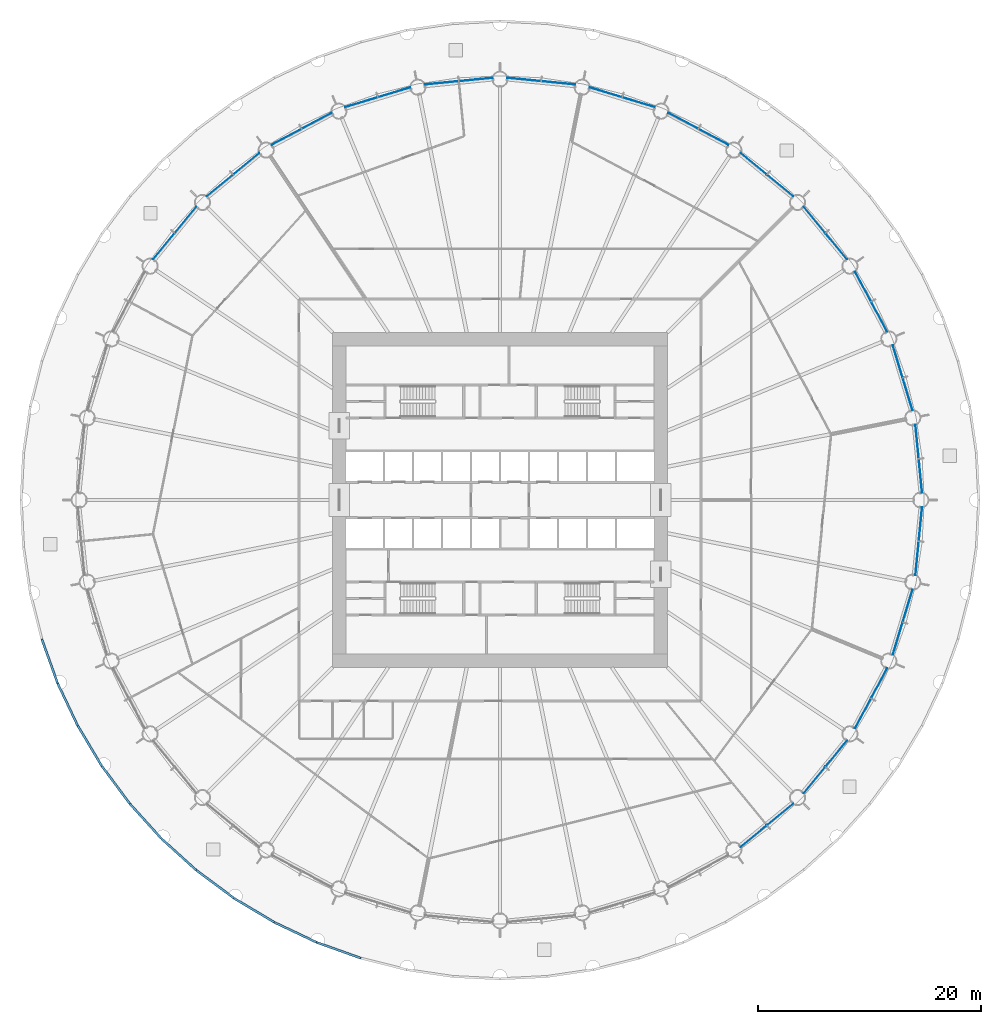
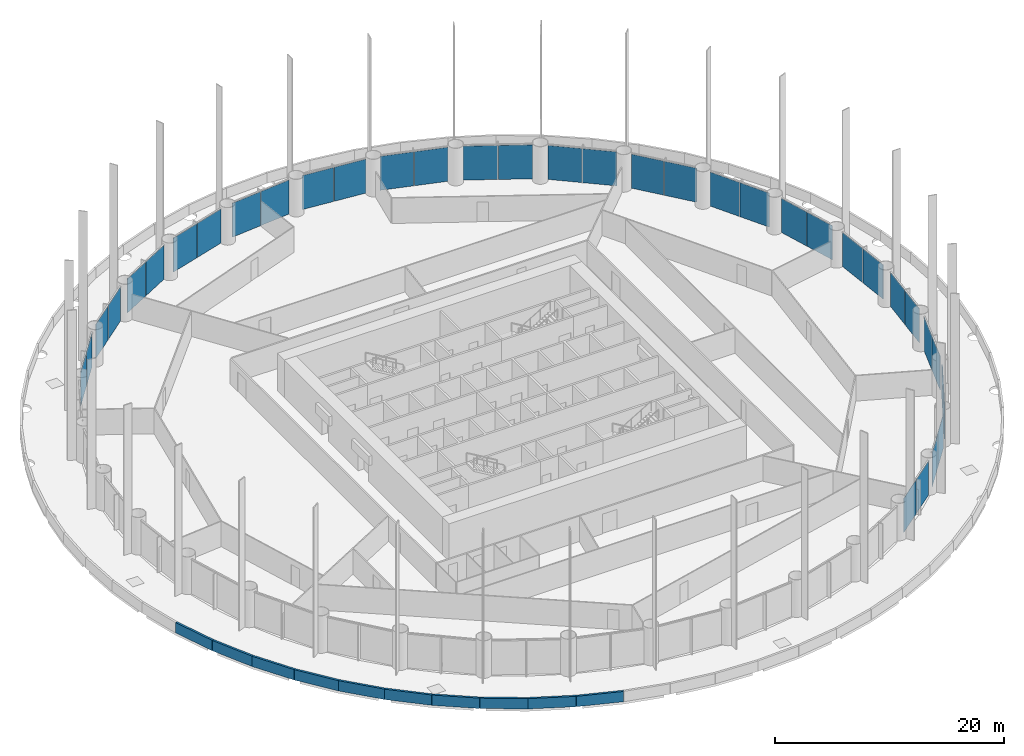
# One storey, part 8 of 17: 36 plates, 10 walls, 18 elements without a shape of their own.
"""IFC4 building model written with IfcOpenShell, lengths in metres."""

from ifc_helpers import new_model, si_unit, direction, frame, frame_2d, origin, origin_2d, place, context, subcontext, project, spatial, rectangle, extrude, material, layer, layer_set, type_object, element, aggregate, save


model = new_model("IFC4")

# Units and contexts
model_context = context("Model", 3, precision=1e-05, world=origin(), true_north=direction((0.0, 1.0)))
body_context = subcontext(model_context, "Body", "Model", "MODEL_VIEW")
ifc_project = project(units=[si_unit("LENGTHUNIT", "METRE"), si_unit("AREAUNIT", "SQUARE_METRE"), si_unit("VOLUMEUNIT", "CUBIC_METRE"), si_unit("PLANEANGLEUNIT", "RADIAN"), si_unit("MASSUNIT", "GRAM", prefix="KILO")], contexts=[model_context])

# Site, building, storey
site_placement = place(None, origin())
site = spatial("IfcSite", under=ifc_project, at=site_placement, CompositionType="ELEMENT")
building_placement = place(site_placement, origin())
building = spatial("IfcBuilding", under=site, at=building_placement, Name="Corvane Civic Tower", CompositionType="ELEMENT")
storey_placement = place(building_placement, frame((0.0, 0.0, 37.0)))
storey = spatial("IfcBuildingStorey", under=building, at=storey_placement, Name="L07", CompositionType="ELEMENT", Elevation=37.0)

# Curtain wall, plates
ifc_material_1 = material(Name="Anodised aluminium bronze", Category="aluminium")
curtain_wall_type = type_object("IfcCurtainWallType", Name="TOWER CW-T1 STICK CURTAIN WALL", PredefinedType="NOTDEFINED", material=ifc_material_1)
curtain_wall_1_placement = place(storey_placement, origin())
curtain_wall_1 = element("IfcCurtainWall", 1, at=curtain_wall_1_placement, inside=storey, type_object=curtain_wall_type, Name="Curtain wall CW-T1 L07 bay 01", PredefinedType="NOTDEFINED")
ifc_material_2 = material(Name="Tinted glass", Category="glass")
ifc_layer_1 = layer(ifc_material_2, 0.035888671875)
ifc_layer_set_1 = layer_set([ifc_layer_1], Name="Tinted glass")
plate_type = type_object("IfcPlateType", Name="TOWER CW-T1 PANEL IGU36", PredefinedType="CURTAIN_PANEL", material=ifc_layer_set_1)
plate_1_placement = place(storey_placement, frame((2.158203125, 37.667236328125, 0.0), z_axis=(0.0, 0.0, 1.0), x_axis=(0.995185800248, -0.098006239521, 0.0)))
plate_1 = element("IfcPlate", 2, at=plate_1_placement, type_object=plate_type, Name="Glass panel CW-T1 L07 01.1", PredefinedType="CURTAIN_PANEL", context=body_context, shape_type="SweptSolid", body=[
    extrude(rectangle(XDim=3.008544921875, YDim=0.035888671875, at=origin_2d()), origin(), (0.0, 0.0, 1.0), 3.6298828125),
])
plate_2_placement = place(storey_placement, frame((5.23193359375, 37.36474609375, 0.0), z_axis=(0.0, 0.0, 1.0), x_axis=(0.995185800248, -0.098006239521, 0.0)))
plate_2 = element("IfcPlate", 3, at=plate_2_placement, type_object=plate_type, Name="Glass panel CW-T1 L07 01.2", PredefinedType="CURTAIN_PANEL", context=body_context, shape_type="SweptSolid", body=[
    extrude(rectangle(XDim=3.008544921875, YDim=0.035888671875, at=origin_2d()), origin(), (0.0, 0.0, 1.0), 3.6298828125),
])
aggregate(curtain_wall_1, [plate_1, plate_2])

curtain_wall_2_placement = place(storey_placement, origin())
curtain_wall_2 = element("IfcCurtainWall", 4, at=curtain_wall_2_placement, inside=storey, type_object=curtain_wall_type, Name="Curtain wall CW-T1 L07 bay 02", PredefinedType="NOTDEFINED")
plate_3_placement = place(storey_placement, frame((9.46533203125, 36.522705078125, 0.0), z_axis=(0.0, 0.0, 1.0), x_axis=(0.956942240606, -0.290278397654, 0.0)))
plate_3 = element("IfcPlate", 5, at=plate_3_placement, type_object=plate_type, Name="Glass panel CW-T1 L07 02.1", PredefinedType="CURTAIN_PANEL", context=body_context, shape_type="SweptSolid", body=[
    extrude(rectangle(XDim=3.008544921875, YDim=0.035888671875, at=origin_2d()), origin(), (0.0, 0.0, 1.0), 3.6298828125),
])
plate_4_placement = place(storey_placement, frame((12.4208984375, 35.6259765625, 0.0), z_axis=(0.0, 0.0, 1.0), x_axis=(0.956942240606, -0.290278397654, 0.0)))
plate_4 = element("IfcPlate", 6, at=plate_4_placement, type_object=plate_type, Name="Glass panel CW-T1 L07 02.2", PredefinedType="CURTAIN_PANEL", context=body_context, shape_type="SweptSolid", body=[
    extrude(rectangle(XDim=3.008544921875, YDim=0.035888671875, at=origin_2d()), origin(), (0.0, 0.0, 1.0), 3.6298828125),
])
aggregate(curtain_wall_2, [plate_3, plate_4])

curtain_wall_3_placement = place(storey_placement, origin())
curtain_wall_3 = element("IfcCurtainWall", 7, at=curtain_wall_3_placement, inside=storey, type_object=curtain_wall_type, Name="Curtain wall CW-T1 L07 bay 03", PredefinedType="NOTDEFINED")
plate_5_placement = place(storey_placement, frame((16.40869140625, 33.974365234375, 0.0), z_axis=(0.0, 0.0, 1.0), x_axis=(0.881917528864, -0.471403725359, 0.0)))
plate_5 = element("IfcPlate", 8, at=plate_5_placement, type_object=plate_type, Name="Glass panel CW-T1 L07 03.1", PredefinedType="CURTAIN_PANEL", context=body_context, shape_type="SweptSolid", body=[
    extrude(rectangle(XDim=3.008544921875, YDim=0.035888671875, at=origin_2d()), origin(), (0.0, 0.0, 1.0), 3.6298828125),
])
plate_6_placement = place(storey_placement, frame((19.132568359375, 32.518310546875, 0.0), z_axis=(0.0, 0.0, 1.0), x_axis=(0.881917528864, -0.471403725359, 0.0)))
plate_6 = element("IfcPlate", 9, at=plate_6_placement, type_object=plate_type, Name="Glass panel CW-T1 L07 03.2", PredefinedType="CURTAIN_PANEL", context=body_context, shape_type="SweptSolid", body=[
    extrude(rectangle(XDim=3.008544921875, YDim=0.035888671875, at=origin_2d()), origin(), (0.0, 0.0, 1.0), 3.6298828125),
])
aggregate(curtain_wall_3, [plate_5, plate_6])

curtain_wall_4_placement = place(storey_placement, origin())
curtain_wall_4 = element("IfcCurtainWall", 10, at=curtain_wall_4_placement, inside=storey, type_object=curtain_wall_type, Name="Curtain wall CW-T1 L07 bay 04", PredefinedType="NOTDEFINED")
plate_7_placement = place(storey_placement, frame((22.721435546875, 30.120361328125, 0.0), z_axis=(0.0, 0.0, 1.0), x_axis=(0.773007224463, -0.634397218569, 0.0)))
plate_7 = element("IfcPlate", 11, at=plate_7_placement, type_object=plate_type, Name="Glass panel CW-T1 L07 04.1", PredefinedType="CURTAIN_PANEL", context=body_context, shape_type="SweptSolid", body=[
    extrude(rectangle(XDim=3.008544921875, YDim=0.035888671875, at=origin_2d()), origin(), (0.0, 0.0, 1.0), 3.6298828125),
])
plate_8_placement = place(storey_placement, frame((25.10888671875, 28.160888671875, 0.0), z_axis=(0.0, 0.0, 1.0), x_axis=(0.773007224463, -0.634397218569, 0.0)))
plate_8 = element("IfcPlate", 12, at=plate_8_placement, type_object=plate_type, Name="Glass panel CW-T1 L07 04.2", PredefinedType="CURTAIN_PANEL", context=body_context, shape_type="SweptSolid", body=[
    extrude(rectangle(XDim=3.008544921875, YDim=0.035888671875, at=origin_2d()), origin(), (0.0, 0.0, 1.0), 3.6298828125),
])
aggregate(curtain_wall_4, [plate_7, plate_8])

curtain_wall_5_placement = place(storey_placement, origin())
curtain_wall_5 = element("IfcCurtainWall", 13, at=curtain_wall_5_placement, inside=storey, type_object=curtain_wall_type, Name="Curtain wall CW-T1 L07 bay 05", PredefinedType="NOTDEFINED")
plate_9_placement = place(storey_placement, frame((28.160888671875, 25.10888671875, 0.0), z_axis=(0.0, 0.0, 1.0), x_axis=(0.634397218569, -0.773007224463, 0.0)))
plate_9 = element("IfcPlate", 14, at=plate_9_placement, type_object=plate_type, Name="Glass panel CW-T1 L07 05.1", PredefinedType="CURTAIN_PANEL", context=body_context, shape_type="SweptSolid", body=[
    extrude(rectangle(XDim=3.008544921875, YDim=0.035888671875, at=origin_2d()), origin(), (0.0, 0.0, 1.0), 3.6298828125),
])
plate_10_placement = place(storey_placement, frame((30.120361328125, 22.721435546875, 0.0), z_axis=(0.0, 0.0, 1.0), x_axis=(0.634397218569, -0.773007224463, 0.0)))
plate_10 = element("IfcPlate", 15, at=plate_10_placement, type_object=plate_type, Name="Glass panel CW-T1 L07 05.2", PredefinedType="CURTAIN_PANEL", context=body_context, shape_type="SweptSolid", body=[
    extrude(rectangle(XDim=3.008544921875, YDim=0.035888671875, at=origin_2d()), origin(), (0.0, 0.0, 1.0), 3.6298828125),
])
aggregate(curtain_wall_5, [plate_9, plate_10])

curtain_wall_6_placement = place(storey_placement, origin())
curtain_wall_6 = element("IfcCurtainWall", 16, at=curtain_wall_6_placement, inside=storey, type_object=curtain_wall_type, Name="Curtain wall CW-T1 L07 bay 06", PredefinedType="NOTDEFINED")
plate_11_placement = place(storey_placement, frame((32.518310546875, 19.132568359375, 0.0), z_axis=(0.0, 0.0, 1.0), x_axis=(0.471403725359, -0.881917528864, 0.0)))
plate_11 = element("IfcPlate", 17, at=plate_11_placement, type_object=plate_type, Name="Glass panel CW-T1 L07 06.1", PredefinedType="CURTAIN_PANEL", context=body_context, shape_type="SweptSolid", body=[
    extrude(rectangle(XDim=3.008544921875, YDim=0.035888671875, at=origin_2d()), origin(), (0.0, 0.0, 1.0), 3.6298828125),
])
plate_12_placement = place(storey_placement, frame((33.974365234375, 16.40869140625, 0.0), z_axis=(0.0, 0.0, 1.0), x_axis=(0.471403725359, -0.881917528864, 0.0)))
plate_12 = element("IfcPlate", 18, at=plate_12_placement, type_object=plate_type, Name="Glass panel CW-T1 L07 06.2", PredefinedType="CURTAIN_PANEL", context=body_context, shape_type="SweptSolid", body=[
    extrude(rectangle(XDim=3.008544921875, YDim=0.035888671875, at=origin_2d()), origin(), (0.0, 0.0, 1.0), 3.6298828125),
])
aggregate(curtain_wall_6, [plate_11, plate_12])

curtain_wall_7_placement = place(storey_placement, origin())
curtain_wall_7 = element("IfcCurtainWall", 19, at=curtain_wall_7_placement, inside=storey, type_object=curtain_wall_type, Name="Curtain wall CW-T1 L07 bay 07", PredefinedType="NOTDEFINED")
plate_13_placement = place(storey_placement, frame((35.6259765625, 12.4208984375, 0.0), z_axis=(0.0, 0.0, 1.0), x_axis=(0.290278397654, -0.956942240606, 0.0)))
plate_13 = element("IfcPlate", 20, at=plate_13_placement, type_object=plate_type, Name="Glass panel CW-T1 L07 07.1", PredefinedType="CURTAIN_PANEL", context=body_context, shape_type="SweptSolid", body=[
    extrude(rectangle(XDim=3.008544921875, YDim=0.035888671875, at=origin_2d()), origin(), (0.0, 0.0, 1.0), 3.6298828125),
])
plate_14_placement = place(storey_placement, frame((36.522705078125, 9.46533203125, 0.0), z_axis=(0.0, 0.0, 1.0), x_axis=(0.290278397654, -0.956942240606, 0.0)))
plate_14 = element("IfcPlate", 21, at=plate_14_placement, type_object=plate_type, Name="Glass panel CW-T1 L07 07.2", PredefinedType="CURTAIN_PANEL", context=body_context, shape_type="SweptSolid", body=[
    extrude(rectangle(XDim=3.008544921875, YDim=0.035888671875, at=origin_2d()), origin(), (0.0, 0.0, 1.0), 3.6298828125),
])
aggregate(curtain_wall_7, [plate_13, plate_14])

curtain_wall_8_placement = place(storey_placement, origin())
curtain_wall_8 = element("IfcCurtainWall", 22, at=curtain_wall_8_placement, inside=storey, type_object=curtain_wall_type, Name="Curtain wall CW-T1 L07 bay 08", PredefinedType="NOTDEFINED")
plate_15_placement = place(storey_placement, frame((37.36474609375, 5.23193359375, 0.0), z_axis=(0.0, 0.0, 1.0), x_axis=(0.098006239521, -0.995185800248, 0.0)))
plate_15 = element("IfcPlate", 23, at=plate_15_placement, type_object=plate_type, Name="Glass panel CW-T1 L07 08.1", PredefinedType="CURTAIN_PANEL", context=body_context, shape_type="SweptSolid", body=[
    extrude(rectangle(XDim=3.008544921875, YDim=0.035888671875, at=origin_2d()), origin(), (0.0, 0.0, 1.0), 3.6298828125),
])
plate_16_placement = place(storey_placement, frame((37.667236328125, 2.158203125, 0.0), z_axis=(0.0, 0.0, 1.0), x_axis=(0.098006239521, -0.995185800248, 0.0)))
plate_16 = element("IfcPlate", 24, at=plate_16_placement, type_object=plate_type, Name="Glass panel CW-T1 L07 08.2", PredefinedType="CURTAIN_PANEL", context=body_context, shape_type="SweptSolid", body=[
    extrude(rectangle(XDim=3.008544921875, YDim=0.035888671875, at=origin_2d()), origin(), (0.0, 0.0, 1.0), 3.6298828125),
])
aggregate(curtain_wall_8, [plate_15, plate_16])

curtain_wall_9_placement = place(storey_placement, origin())
curtain_wall_9 = element("IfcCurtainWall", 25, at=curtain_wall_9_placement, inside=storey, type_object=curtain_wall_type, Name="Curtain wall CW-T1 L07 bay 09", PredefinedType="NOTDEFINED")
plate_17_placement = place(storey_placement, frame((37.667236328125, -2.158203125, 0.0), z_axis=(0.0, 0.0, 1.0), x_axis=(-0.098006239521, -0.995185800248, 0.0)))
plate_17 = element("IfcPlate", 26, at=plate_17_placement, type_object=plate_type, Name="Glass panel CW-T1 L07 09.1", PredefinedType="CURTAIN_PANEL", context=body_context, shape_type="SweptSolid", body=[
    extrude(rectangle(XDim=3.008544921875, YDim=0.035888671875, at=origin_2d()), origin(), (0.0, 0.0, 1.0), 3.6298828125),
])
plate_18_placement = place(storey_placement, frame((37.36474609375, -5.23193359375, 0.0), z_axis=(0.0, 0.0, 1.0), x_axis=(-0.098006239521, -0.995185800248, 0.0)))
plate_18 = element("IfcPlate", 27, at=plate_18_placement, type_object=plate_type, Name="Glass panel CW-T1 L07 09.2", PredefinedType="CURTAIN_PANEL", context=body_context, shape_type="SweptSolid", body=[
    extrude(rectangle(XDim=3.008544921875, YDim=0.035888671875, at=origin_2d()), origin(), (0.0, 0.0, 1.0), 3.6298828125),
])
aggregate(curtain_wall_9, [plate_17, plate_18])

curtain_wall_10_placement = place(storey_placement, origin())
curtain_wall_10 = element("IfcCurtainWall", 28, at=curtain_wall_10_placement, inside=storey, type_object=curtain_wall_type, Name="Curtain wall CW-T1 L07 bay 10", PredefinedType="NOTDEFINED")
plate_19_placement = place(storey_placement, frame((36.522705078125, -9.46533203125, 0.0), z_axis=(0.0, 0.0, 1.0), x_axis=(-0.290278397654, -0.956942240606, 0.0)))
plate_19 = element("IfcPlate", 29, at=plate_19_placement, type_object=plate_type, Name="Glass panel CW-T1 L07 10.1", PredefinedType="CURTAIN_PANEL", context=body_context, shape_type="SweptSolid", body=[
    extrude(rectangle(XDim=3.008544921875, YDim=0.035888671875, at=origin_2d()), origin(), (0.0, 0.0, 1.0), 3.6298828125),
])
plate_20_placement = place(storey_placement, frame((35.6259765625, -12.4208984375, 0.0), z_axis=(0.0, 0.0, 1.0), x_axis=(-0.290278397654, -0.956942240606, 0.0)))
plate_20 = element("IfcPlate", 30, at=plate_20_placement, type_object=plate_type, Name="Glass panel CW-T1 L07 10.2", PredefinedType="CURTAIN_PANEL", context=body_context, shape_type="SweptSolid", body=[
    extrude(rectangle(XDim=3.008544921875, YDim=0.035888671875, at=origin_2d()), origin(), (0.0, 0.0, 1.0), 3.6298828125),
])
aggregate(curtain_wall_10, [plate_19, plate_20])

curtain_wall_11_placement = place(storey_placement, origin())
curtain_wall_11 = element("IfcCurtainWall", 31, at=curtain_wall_11_placement, inside=storey, type_object=curtain_wall_type, Name="Curtain wall CW-T1 L07 bay 11", PredefinedType="NOTDEFINED")
plate_21_placement = place(storey_placement, frame((33.974365234375, -16.40869140625, 0.0), z_axis=(0.0, 0.0, 1.0), x_axis=(-0.471403725359, -0.881917528864, 0.0)))
plate_21 = element("IfcPlate", 32, at=plate_21_placement, type_object=plate_type, Name="Glass panel CW-T1 L07 11.1", PredefinedType="CURTAIN_PANEL", context=body_context, shape_type="SweptSolid", body=[
    extrude(rectangle(XDim=3.008544921875, YDim=0.035888671875, at=origin_2d()), origin(), (0.0, 0.0, 1.0), 3.6298828125),
])
plate_22_placement = place(storey_placement, frame((32.518310546875, -19.132568359375, 0.0), z_axis=(0.0, 0.0, 1.0), x_axis=(-0.471403725359, -0.881917528864, 0.0)))
plate_22 = element("IfcPlate", 33, at=plate_22_placement, type_object=plate_type, Name="Glass panel CW-T1 L07 11.2", PredefinedType="CURTAIN_PANEL", context=body_context, shape_type="SweptSolid", body=[
    extrude(rectangle(XDim=3.008544921875, YDim=0.035888671875, at=origin_2d()), origin(), (0.0, 0.0, 1.0), 3.6298828125),
])
aggregate(curtain_wall_11, [plate_21, plate_22])

curtain_wall_12_placement = place(storey_placement, origin())
curtain_wall_12 = element("IfcCurtainWall", 34, at=curtain_wall_12_placement, inside=storey, type_object=curtain_wall_type, Name="Curtain wall CW-T1 L07 bay 12", PredefinedType="NOTDEFINED")
plate_23_placement = place(storey_placement, frame((30.120361328125, -22.721435546875, 0.0), z_axis=(0.0, 0.0, 1.0), x_axis=(-0.634397218569, -0.773007224463, 0.0)))
plate_23 = element("IfcPlate", 35, at=plate_23_placement, type_object=plate_type, Name="Glass panel CW-T1 L07 12.1", PredefinedType="CURTAIN_PANEL", context=body_context, shape_type="SweptSolid", body=[
    extrude(rectangle(XDim=3.008544921875, YDim=0.035888671875, at=origin_2d()), origin(), (0.0, 0.0, 1.0), 3.6298828125),
])
plate_24_placement = place(storey_placement, frame((28.160888671875, -25.10888671875, 0.0), z_axis=(0.0, 0.0, 1.0), x_axis=(-0.634397218569, -0.773007224463, 0.0)))
plate_24 = element("IfcPlate", 36, at=plate_24_placement, type_object=plate_type, Name="Glass panel CW-T1 L07 12.2", PredefinedType="CURTAIN_PANEL", context=body_context, shape_type="SweptSolid", body=[
    extrude(rectangle(XDim=3.008544921875, YDim=0.035888671875, at=origin_2d()), origin(), (0.0, 0.0, 1.0), 3.6298828125),
])
aggregate(curtain_wall_12, [plate_23, plate_24])

curtain_wall_13_placement = place(storey_placement, origin())
curtain_wall_13 = element("IfcCurtainWall", 37, at=curtain_wall_13_placement, inside=storey, type_object=curtain_wall_type, Name="Curtain wall CW-T1 L07 bay 13", PredefinedType="NOTDEFINED")
plate_25_placement = place(storey_placement, frame((25.10888671875, -28.160888671875, 0.0), z_axis=(0.0, 0.0, 1.0), x_axis=(-0.773007224463, -0.634397218569, 0.0)))
plate_25 = element("IfcPlate", 38, at=plate_25_placement, type_object=plate_type, Name="Glass panel CW-T1 L07 13.1", PredefinedType="CURTAIN_PANEL", context=body_context, shape_type="SweptSolid", body=[
    extrude(rectangle(XDim=3.008544921875, YDim=0.035888671875, at=origin_2d()), origin(), (0.0, 0.0, 1.0), 3.6298828125),
])
plate_26_placement = place(storey_placement, frame((22.721435546875, -30.120361328125, 0.0), z_axis=(0.0, 0.0, 1.0), x_axis=(-0.773007224463, -0.634397218569, 0.0)))
plate_26 = element("IfcPlate", 39, at=plate_26_placement, type_object=plate_type, Name="Glass panel CW-T1 L07 13.2", PredefinedType="CURTAIN_PANEL", context=body_context, shape_type="SweptSolid", body=[
    extrude(rectangle(XDim=3.008544921875, YDim=0.035888671875, at=origin_2d()), origin(), (0.0, 0.0, 1.0), 3.6298828125),
])
aggregate(curtain_wall_13, [plate_25, plate_26])

curtain_wall_14_placement = place(storey_placement, origin())
curtain_wall_14 = element("IfcCurtainWall", 40, at=curtain_wall_14_placement, inside=storey, type_object=curtain_wall_type, Name="Curtain wall CW-T1 L07 bay 28", PredefinedType="NOTDEFINED")
plate_27_placement = place(storey_placement, frame((-30.120361328125, 22.721435546875, 0.0), z_axis=(0.0, 0.0, 1.0), x_axis=(0.634397218569, 0.773007224463, 0.0)))
plate_27 = element("IfcPlate", 41, at=plate_27_placement, type_object=plate_type, Name="Glass panel CW-T1 L07 28.1", PredefinedType="CURTAIN_PANEL", context=body_context, shape_type="SweptSolid", body=[
    extrude(rectangle(XDim=3.008544921875, YDim=0.035888671875, at=origin_2d()), origin(), (0.0, 0.0, 1.0), 3.6298828125),
])
plate_28_placement = place(storey_placement, frame((-28.160888671875, 25.10888671875, 0.0), z_axis=(0.0, 0.0, 1.0), x_axis=(0.634397218569, 0.773007224463, 0.0)))
plate_28 = element("IfcPlate", 42, at=plate_28_placement, type_object=plate_type, Name="Glass panel CW-T1 L07 28.2", PredefinedType="CURTAIN_PANEL", context=body_context, shape_type="SweptSolid", body=[
    extrude(rectangle(XDim=3.008544921875, YDim=0.035888671875, at=origin_2d()), origin(), (0.0, 0.0, 1.0), 3.6298828125),
])
aggregate(curtain_wall_14, [plate_27, plate_28])

curtain_wall_15_placement = place(storey_placement, origin())
curtain_wall_15 = element("IfcCurtainWall", 43, at=curtain_wall_15_placement, inside=storey, type_object=curtain_wall_type, Name="Curtain wall CW-T1 L07 bay 29", PredefinedType="NOTDEFINED")
plate_29_placement = place(storey_placement, frame((-25.10888671875, 28.160888671875, 0.0), z_axis=(0.0, 0.0, 1.0), x_axis=(0.773007224463, 0.634397218569, 0.0)))
plate_29 = element("IfcPlate", 44, at=plate_29_placement, type_object=plate_type, Name="Glass panel CW-T1 L07 29.1", PredefinedType="CURTAIN_PANEL", context=body_context, shape_type="SweptSolid", body=[
    extrude(rectangle(XDim=3.008544921875, YDim=0.035888671875, at=origin_2d()), origin(), (0.0, 0.0, 1.0), 3.6298828125),
])
plate_30_placement = place(storey_placement, frame((-22.721435546875, 30.120361328125, 0.0), z_axis=(0.0, 0.0, 1.0), x_axis=(0.773007224463, 0.634397218569, 0.0)))
plate_30 = element("IfcPlate", 45, at=plate_30_placement, type_object=plate_type, Name="Glass panel CW-T1 L07 29.2", PredefinedType="CURTAIN_PANEL", context=body_context, shape_type="SweptSolid", body=[
    extrude(rectangle(XDim=3.008544921875, YDim=0.035888671875, at=origin_2d()), origin(), (0.0, 0.0, 1.0), 3.6298828125),
])
aggregate(curtain_wall_15, [plate_29, plate_30])

curtain_wall_16_placement = place(storey_placement, origin())
curtain_wall_16 = element("IfcCurtainWall", 46, at=curtain_wall_16_placement, inside=storey, type_object=curtain_wall_type, Name="Curtain wall CW-T1 L07 bay 30", PredefinedType="NOTDEFINED")
plate_31_placement = place(storey_placement, frame((-19.132568359375, 32.518310546875, 0.0), z_axis=(0.0, 0.0, 1.0), x_axis=(0.881917528864, 0.471403725359, 0.0)))
plate_31 = element("IfcPlate", 47, at=plate_31_placement, type_object=plate_type, Name="Glass panel CW-T1 L07 30.1", PredefinedType="CURTAIN_PANEL", context=body_context, shape_type="SweptSolid", body=[
    extrude(rectangle(XDim=3.008544921875, YDim=0.035888671875, at=origin_2d()), origin(), (0.0, 0.0, 1.0), 3.6298828125),
])
plate_32_placement = place(storey_placement, frame((-16.40869140625, 33.974365234375, 0.0), z_axis=(0.0, 0.0, 1.0), x_axis=(0.881917528864, 0.471403725359, 0.0)))
plate_32 = element("IfcPlate", 48, at=plate_32_placement, type_object=plate_type, Name="Glass panel CW-T1 L07 30.2", PredefinedType="CURTAIN_PANEL", context=body_context, shape_type="SweptSolid", body=[
    extrude(rectangle(XDim=3.008544921875, YDim=0.035888671875, at=origin_2d()), origin(), (0.0, 0.0, 1.0), 3.6298828125),
])
aggregate(curtain_wall_16, [plate_31, plate_32])

curtain_wall_17_placement = place(storey_placement, origin())
curtain_wall_17 = element("IfcCurtainWall", 49, at=curtain_wall_17_placement, inside=storey, type_object=curtain_wall_type, Name="Curtain wall CW-T1 L07 bay 31", PredefinedType="NOTDEFINED")
plate_33_placement = place(storey_placement, frame((-12.4208984375, 35.6259765625, 0.0), z_axis=(0.0, 0.0, 1.0), x_axis=(0.956942240606, 0.290278397654, 0.0)))
plate_33 = element("IfcPlate", 50, at=plate_33_placement, type_object=plate_type, Name="Glass panel CW-T1 L07 31.1", PredefinedType="CURTAIN_PANEL", context=body_context, shape_type="SweptSolid", body=[
    extrude(rectangle(XDim=3.008544921875, YDim=0.035888671875, at=origin_2d()), origin(), (0.0, 0.0, 1.0), 3.6298828125),
])
plate_34_placement = place(storey_placement, frame((-9.46533203125, 36.522705078125, 0.0), z_axis=(0.0, 0.0, 1.0), x_axis=(0.956942240606, 0.290278397654, 0.0)))
plate_34 = element("IfcPlate", 51, at=plate_34_placement, type_object=plate_type, Name="Glass panel CW-T1 L07 31.2", PredefinedType="CURTAIN_PANEL", context=body_context, shape_type="SweptSolid", body=[
    extrude(rectangle(XDim=3.008544921875, YDim=0.035888671875, at=origin_2d()), origin(), (0.0, 0.0, 1.0), 3.6298828125),
])
aggregate(curtain_wall_17, [plate_33, plate_34])

curtain_wall_18_placement = place(storey_placement, origin())
curtain_wall_18 = element("IfcCurtainWall", 52, at=curtain_wall_18_placement, inside=storey, type_object=curtain_wall_type, Name="Curtain wall CW-T1 L07 bay 32", PredefinedType="NOTDEFINED")
plate_35_placement = place(storey_placement, frame((-5.23193359375, 37.36474609375, 0.0), z_axis=(0.0, 0.0, 1.0), x_axis=(0.995185800248, 0.098006239521, 0.0)))
plate_35 = element("IfcPlate", 53, at=plate_35_placement, type_object=plate_type, Name="Glass panel CW-T1 L07 32.1", PredefinedType="CURTAIN_PANEL", context=body_context, shape_type="SweptSolid", body=[
    extrude(rectangle(XDim=3.008544921875, YDim=0.035888671875, at=origin_2d()), origin(), (0.0, 0.0, 1.0), 3.6298828125),
])
plate_36_placement = place(storey_placement, frame((-2.158203125, 37.667236328125, 0.0), z_axis=(0.0, 0.0, 1.0), x_axis=(0.995185800248, 0.098006239521, 0.0)))
plate_36 = element("IfcPlate", 54, at=plate_36_placement, type_object=plate_type, Name="Glass panel CW-T1 L07 32.2", PredefinedType="CURTAIN_PANEL", context=body_context, shape_type="SweptSolid", body=[
    extrude(rectangle(XDim=3.008544921875, YDim=0.035888671875, at=origin_2d()), origin(), (0.0, 0.0, 1.0), 3.6298828125),
])
aggregate(curtain_wall_18, [plate_35, plate_36])

# Walls
ifc_material_3 = material(Name="Limestone cladding", Category="masonry")
ifc_layer_2 = layer(ifc_material_3, 0.199951171875)
ifc_layer_set_2 = layer_set([ifc_layer_2], Name="Limestone cladding")
wall_type = type_object("IfcWallType", Name="PODIUM-W-PARAPET-200", PredefinedType="PARAPET", material=ifc_layer_set_2)
wall_1_placement = place(storey_placement, frame((-41.05078125, -12.4580078125, 0.0), z_axis=(0.0, 0.0, 1.0), x_axis=(0.336888747296, -0.94154446095, 0.0)))
element("IfcWall", 55, at=wall_1_placement, inside=storey, type_object=wall_type, Name="Drum roof parapet 20", PredefinedType="PARAPET", context=body_context, shape_type="SweptSolid", body=[
    extrude(rectangle(XDim=4.19970703125, YDim=0.199951171875, at=frame_2d((2.099853515625, 0.0))), origin(), (0.0, 0.0, 1.0), 1.10009765625),
])
wall_2_placement = place(storey_placement, frame((-39.632080078125, -16.421630859375, 0.0), z_axis=(0.0, 0.0, 1.0), x_axis=(0.427551519689, -0.903990983369, 0.0)))
element("IfcWall", 56, at=wall_2_placement, inside=storey, type_object=wall_type, Name="Drum roof parapet 21", PredefinedType="PARAPET", context=body_context, shape_type="SweptSolid", body=[
    extrude(rectangle(XDim=4.199951171875, YDim=0.199951171875, at=frame_2d((2.10009765625, 0.0))), origin(), (0.0, 0.0, 1.0), 1.10009765625),
])
wall_3_placement = place(storey_placement, frame((-37.831787109375, -20.227294921875, 0.0), z_axis=(0.0, 0.0, 1.0), x_axis=(0.514136647694, -0.857708288113, 0.0)))
element("IfcWall", 57, at=wall_3_placement, inside=storey, type_object=wall_type, Name="Drum roof parapet 22", PredefinedType="PARAPET", context=body_context, shape_type="SweptSolid", body=[
    extrude(rectangle(XDim=4.19970703125, YDim=0.199951171875, at=frame_2d((2.099853515625, 0.0))), origin(), (0.0, 0.0, 1.0), 1.10009765625),
])
for number, where, z_axis, x_axis, name in (
    (58, (-35.6669921875, -23.837890625, 0.0), (0.0, 0.0, 1.0), (0.59572234587, -0.803190442318, 0.0), "Drum roof parapet 23"),
    (59, (-33.15869140625, -27.218994140625, 0.0), (0.0, 0.0, 1.0), (0.671552337281, -0.740957123113, 0.0), "Drum roof parapet 24"),
    (60, (-30.3310546875, -30.338134765625, 0.0), (0.0, 0.0, 1.0), (0.740957123113, -0.671552337281, 0.0), "Drum roof parapet 25"),
    (61, (-27.211181640625, -33.1650390625, 0.0), (0.0, 0.0, 1.0), (0.803190442318, -0.59572234587, 0.0), "Drum roof parapet 26"),
):
    element("IfcWall", number, at=place(storey_placement, frame(where, z_axis=z_axis, x_axis=x_axis)), inside=storey, type_object=wall_type, Name=name, PredefinedType="PARAPET", context=body_context, shape_type="SweptSolid", body=[
        extrude(rectangle(XDim=4.199951171875, YDim=0.199951171875, at=frame_2d((2.10009765625, 0.0))), origin(), (0.0, 0.0, 1.0), 1.10009765625),
    ])
wall_4_placement = place(storey_placement, frame((-23.829345703125, -35.672607421875, 0.0), z_axis=(0.0, 0.0, 1.0), x_axis=(0.857708288113, -0.514136647694, 0.0)))
element("IfcWall", 62, at=wall_4_placement, inside=storey, type_object=wall_type, Name="Drum roof parapet 27", PredefinedType="PARAPET", context=body_context, shape_type="SweptSolid", body=[
    extrude(rectangle(XDim=4.19970703125, YDim=0.199951171875, at=frame_2d((2.099853515625, 0.0))), origin(), (0.0, 0.0, 1.0), 1.10009765625),
])
wall_5_placement = place(storey_placement, frame((-20.21826171875, -37.83642578125, 0.0), z_axis=(0.0, 0.0, 1.0), x_axis=(0.903990983369, -0.427551519689, 0.0)))
element("IfcWall", 63, at=wall_5_placement, inside=storey, type_object=wall_type, Name="Drum roof parapet 28", PredefinedType="PARAPET", context=body_context, shape_type="SweptSolid", body=[
    extrude(rectangle(XDim=4.199951171875, YDim=0.199951171875, at=frame_2d((2.10009765625, 0.0))), origin(), (0.0, 0.0, 1.0), 1.10009765625),
])
wall_6_placement = place(storey_placement, frame((-16.412109375, -39.635986328125, 0.0), z_axis=(0.0, 0.0, 1.0), x_axis=(0.94154446095, -0.336888747296, 0.0)))
element("IfcWall", 64, at=wall_6_placement, inside=storey, type_object=wall_type, Name="Drum roof parapet 29", PredefinedType="PARAPET", context=body_context, shape_type="SweptSolid", body=[
    extrude(rectangle(XDim=4.19970703125, YDim=0.199951171875, at=frame_2d((2.099853515625, 0.0))), origin(), (0.0, 0.0, 1.0), 1.10009765625),
])

save(model, "model.ifc")
